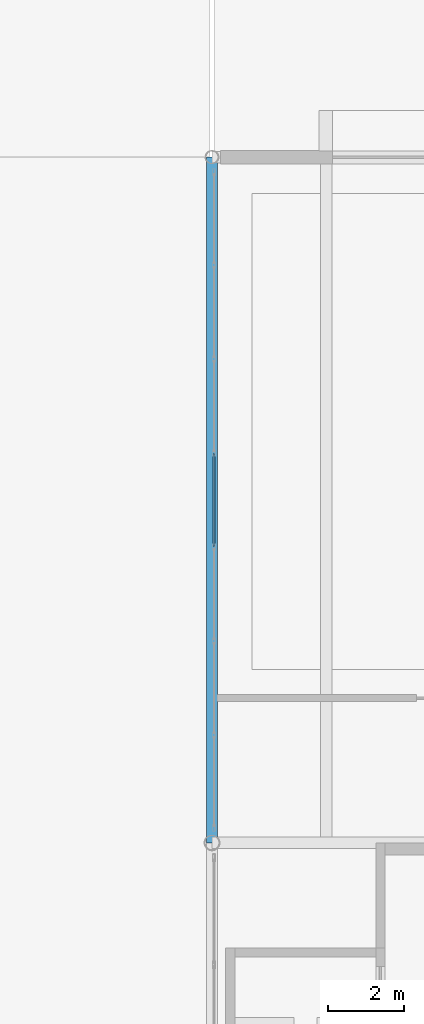
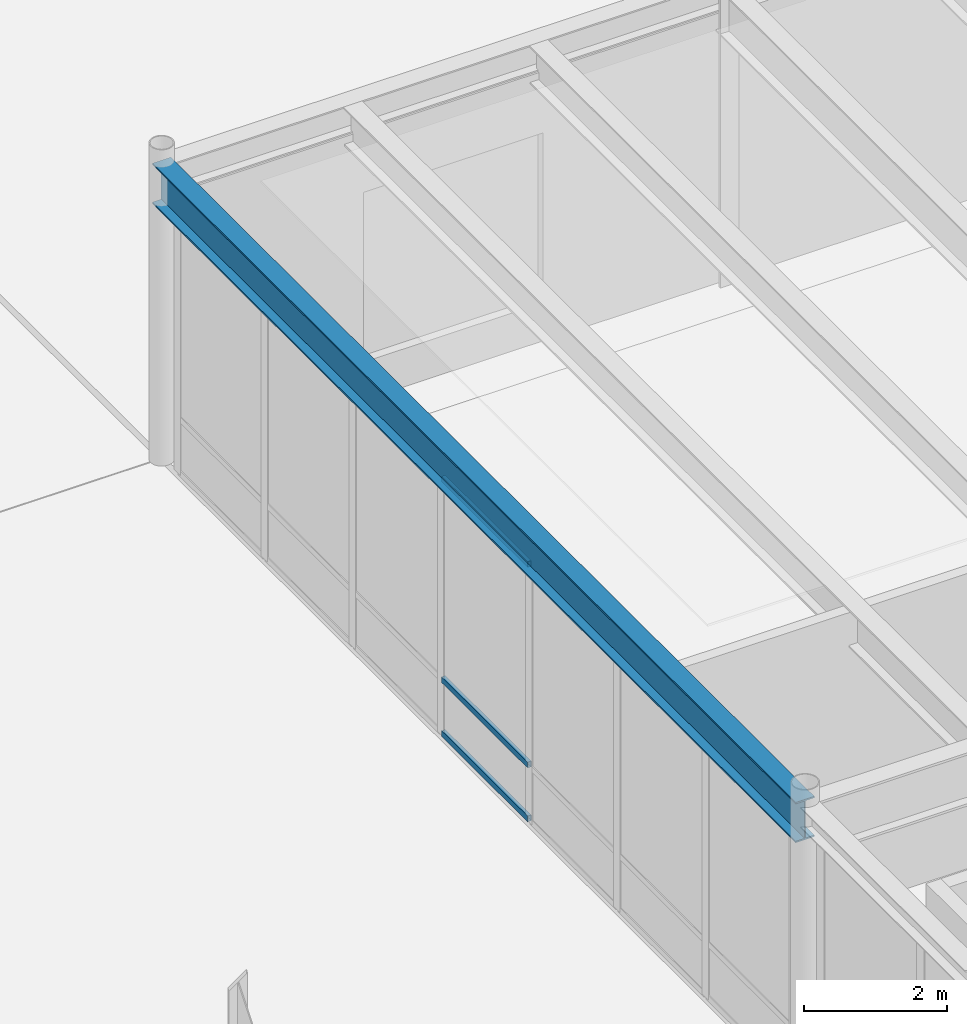
# One storey, part 81 of 143: 3 members, 1 beam, 1 element without a shape of its own.
"""IFC4 building model written with IfcOpenShell, lengths in metres."""

from ifc_helpers import new_model, si_unit, direction, frame, origin, origin_2d, place, context, subcontext, project, spatial, hollow_rectangle, i_section, extrude, material, layer, layer_set, material_profile, profile_set, type_object, element, aggregate, save


model = new_model("IFC4")

# Units and contexts
model_context = context("Model", 3, precision=1e-05, world=origin(), true_north=direction((0.0, 1.0)))
body_context = subcontext(model_context, "Body", "Model", "MODEL_VIEW")
ifc_project = project(units=[si_unit("LENGTHUNIT", "METRE"), si_unit("AREAUNIT", "SQUARE_METRE"), si_unit("VOLUMEUNIT", "CUBIC_METRE"), si_unit("PLANEANGLEUNIT", "RADIAN"), si_unit("MASSUNIT", "GRAM", prefix="KILO")], contexts=[model_context])

# Site, building, storey
site_placement = place(None, origin())
site = spatial("IfcSite", under=ifc_project, at=site_placement, CompositionType="ELEMENT")
building_placement = place(site_placement, origin())
building = spatial("IfcBuilding", under=site, at=building_placement, Name="Montelvaro Courts of Justice", CompositionType="ELEMENT")
storey_placement = place(building_placement, origin())
storey = spatial("IfcBuildingStorey", under=building, at=storey_placement, Name="L00", CompositionType="ELEMENT", Elevation=0.0)

# Beam
ifc_material_1 = material(Name="Steel S355", Category="steel")
ifc_material_profile_1 = material_profile(ifc_material_1, i_section(OverallWidth=0.300048828125, OverallDepth=0.68994140625, WebThickness=0.014404296875, FlangeThickness=0.027099609375, at=origin_2d()), Name="HEA 700")
ifc_profile_set_1 = profile_set([ifc_material_profile_1], Name="Steel S355")
beam_type = type_object("IfcBeamType", Name="Beam_HEA700", PredefinedType="USERDEFINED", material=ifc_profile_set_1)
beam_placement = place(storey_placement, frame((99.0, 78.0, 4.7548828125), z_axis=(0.0, 1.0, 0.0), x_axis=(-1.0, 0.0, 0.0)))
element("IfcBeam", 1, at=beam_placement, inside=storey, type_object=beam_type, Name="Beam B-23 L00", ObjectType="GIRDER", PredefinedType="USERDEFINED", context=body_context, shape_type="SweptSolid", body=[
    extrude(i_section(OverallWidth=0.300048828125, OverallDepth=0.68994140625, WebThickness=0.014404296875, FlangeThickness=0.027099609375, at=origin_2d()), origin(), (0.0, 0.0, 1.0), 18.0),
])

# Curtain wall, members
ifc_material_2 = material(Name="Anodised aluminium EN AW-6063", Category="aluminium")
ifc_layer = layer(ifc_material_2, 0.159912109375)
ifc_layer_set = layer_set([ifc_layer], Name="Anodised aluminium EN AW-6063")
curtain_wall_type = type_object("IfcCurtainWallType", Name="CurtainWall_02_1727x508", PredefinedType="USERDEFINED", material=ifc_layer_set)
curtain_wall_placement = place(storey_placement, origin())
curtain_wall = element("IfcCurtainWall", 2, at=curtain_wall_placement, inside=storey, type_object=curtain_wall_type, Name="Curtain Wall CW-02 (L00)", ObjectType="CURTAIN WALL", PredefinedType="USERDEFINED")
ifc_material_profile_2 = material_profile(ifc_material_2, hollow_rectangle(XDim=0.06005859375, YDim=0.10009765625, WallThickness=0.00341796875, at=origin_2d()), Name="ALU-T 60x100")
ifc_profile_set_2 = profile_set([ifc_material_profile_2], Name="Anodised aluminium EN AW-6063")
member_type = type_object("IfcMemberType", Name="CurtainWall_Transom_60x100", PredefinedType="USERDEFINED", material=ifc_profile_set_2)
member_1_placement = place(storey_placement, frame((99.050048828125, 88.20361328125, 0.030029296875), z_axis=(0.0, -1.0, 0.0), x_axis=(1.0, 0.0, 0.0)))
member_1 = element("IfcMember", 3, at=member_1_placement, type_object=member_type, Name="CW-02 transom 4.1", ObjectType="TRANSOM", PredefinedType="USERDEFINED", context=body_context, shape_type="SweptSolid", body=[
    extrude(hollow_rectangle(XDim=0.06005859375, YDim=0.10009765625, WallThickness=0.00341796875, at=origin_2d()), origin(), (0.0, 0.0, 1.0), 2.4072265625),
])
member_2_placement = place(storey_placement, frame((99.050048828125, 88.20361328125, 0.949951171875), z_axis=(0.0, -1.0, 0.0), x_axis=(1.0, 0.0, 0.0)))
member_2 = element("IfcMember", 4, at=member_2_placement, type_object=member_type, Name="CW-02 transom 4.2", ObjectType="TRANSOM", PredefinedType="USERDEFINED", context=body_context, shape_type="SweptSolid", body=[
    extrude(hollow_rectangle(XDim=0.06005859375, YDim=0.10009765625, WallThickness=0.00341796875, at=origin_2d()), origin(), (0.0, 0.0, 1.0), 2.4072265625),
])
member_3_placement = place(storey_placement, frame((99.050048828125, 88.20361328125, 4.375), z_axis=(0.0, -1.0, 0.0), x_axis=(1.0, 0.0, 0.0)))
member_3 = element("IfcMember", 5, at=member_3_placement, type_object=member_type, Name="CW-02 transom 4.3", ObjectType="TRANSOM", PredefinedType="USERDEFINED", context=body_context, shape_type="SweptSolid", body=[
    extrude(hollow_rectangle(XDim=0.06005859375, YDim=0.10009765625, WallThickness=0.00341796875, at=origin_2d()), origin(), (0.0, 0.0, 1.0), 2.4072265625),
])
aggregate(curtain_wall, [member_1, member_2, member_3])

save(model, "model.ifc")
